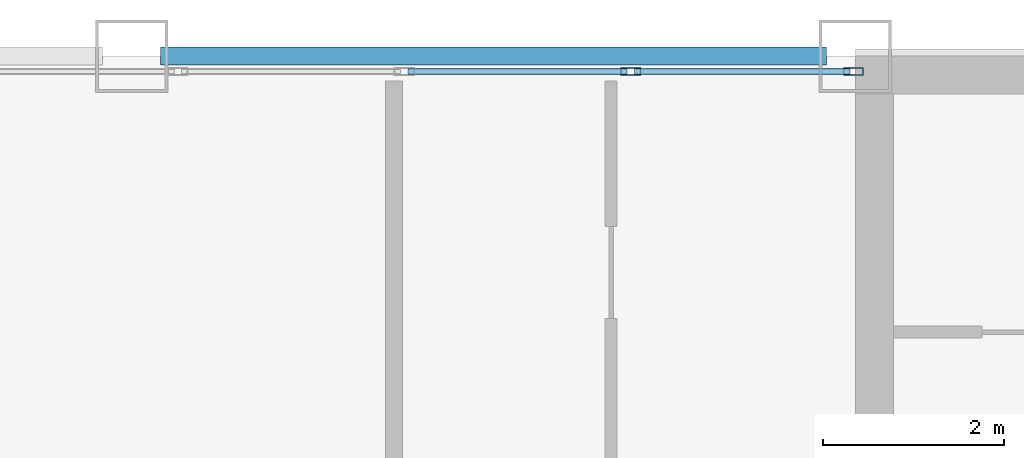
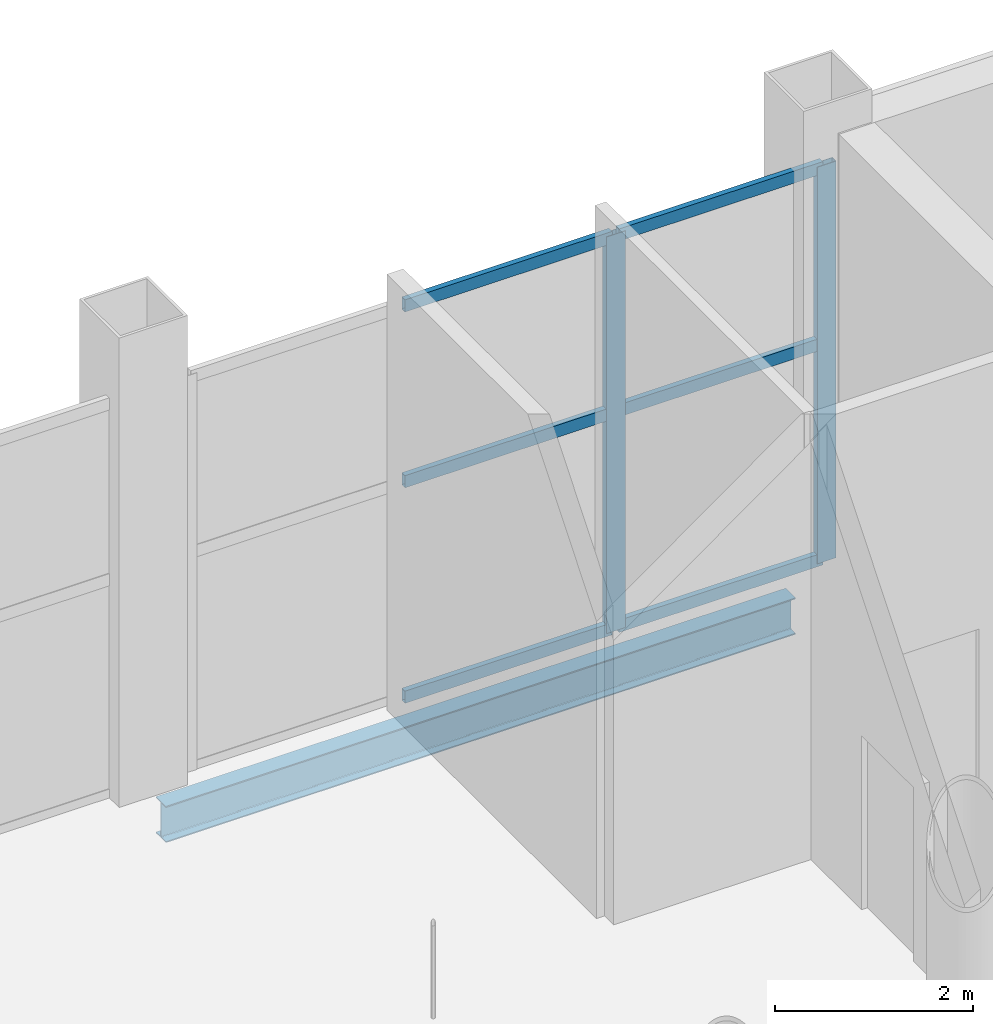
# One storey, part 12 of 18: 8 members, 1 beam, 1 element without a shape of its own.
"""IFC4 building model written with IfcOpenShell, lengths in metres."""

from ifc_helpers import new_model, si_unit, direction, frame, origin, origin_2d, place, context, subcontext, project, spatial, hollow_rectangle, i_section, extrude, material, layer, layer_set, material_profile, profile_set, type_object, element, aggregate, save


model = new_model("IFC4")

# Units and contexts
model_context = context("Model", 3, precision=1e-05, world=origin(), true_north=direction((0.0, 1.0)))
body_context = subcontext(model_context, "Body", "Model", "MODEL_VIEW")
ifc_project = project(units=[si_unit("LENGTHUNIT", "METRE"), si_unit("AREAUNIT", "SQUARE_METRE"), si_unit("VOLUMEUNIT", "CUBIC_METRE"), si_unit("PLANEANGLEUNIT", "RADIAN"), si_unit("MASSUNIT", "GRAM", prefix="KILO")], contexts=[model_context])

# Site, building, storey
site_placement = place(None, origin())
site = spatial("IfcSite", under=ifc_project, at=site_placement, CompositionType="ELEMENT")
building_placement = place(site_placement, origin())
building = spatial("IfcBuilding", under=site, at=building_placement, Name="Qianrong Seaharbour Tower", CompositionType="ELEMENT")
storey_placement = place(building_placement, frame((0.0, 0.0, 367.199951171875)))
storey = spatial("IfcBuildingStorey", under=building, at=storey_placement, Name="L89", CompositionType="ELEMENT", Elevation=367.199951171875)

# Beam
ifc_material_1 = material(Name="Structural steel SN400B", Category="steel")
ifc_material_profile_1 = material_profile(ifc_material_1, i_section(OverallWidth=0.199951171875, OverallDepth=0.449951171875, WebThickness=0.009033203125, FlangeThickness=0.013916015625, FilletRadius=0.01806640625, at=origin_2d()), Name="H450x200x9x14")
ifc_profile_set_1 = profile_set([ifc_material_profile_1], Name="Structural steel SN400B")
beam_type = type_object("IfcBeamType", Name="BM-SP-450", PredefinedType="SPANDREL", material=ifc_profile_set_1)
beam_placement = place(storey_placement, frame((32.820068359375, 52.0, -0.64501953125), z_axis=(1.0, 0.0, 0.0), x_axis=(0.0, 1.0, 0.0)))
element("IfcBeam", 1, at=beam_placement, inside=storey, type_object=beam_type, Name="L89 Spandrel Girder GH G5-G6", PredefinedType="SPANDREL", context=body_context, shape_type="SweptSolid", body=[
    extrude(i_section(OverallWidth=0.199951171875, OverallDepth=0.449951171875, WebThickness=0.009033203125, FlangeThickness=0.013916015625, FilletRadius=0.01806640625, at=origin_2d()), origin(), (0.0, 0.0, 1.0), 7.35986328125),
])

# Curtain wall, members
ifc_material_2 = material(Name="Anodised aluminium 6063-T6 and laminated low-e glass", Category="aluminium")
ifc_layer = layer(ifc_material_2, 0.22998046875)
ifc_layer_set = layer_set([ifc_layer], Name="Anodised aluminium 6063-T6 and laminated low-e glass")
curtain_wall_type = type_object("IfcCurtainWallType", Name="CW-SYS-5", PredefinedType="NOTDEFINED", material=ifc_layer_set)
curtain_wall_placement = place(storey_placement, origin())
curtain_wall = element("IfcCurtainWall", 2, at=curtain_wall_placement, inside=storey, type_object=curtain_wall_type, Name="L89 Venturi Wind-Turbine Shroud Curtain Wall NORTH_WING", PredefinedType="NOTDEFINED")
ifc_material_3 = material(Name="Extruded aluminium 6063-T6", Category="aluminium")
ifc_material_profile_2 = material_profile(ifc_material_3, hollow_rectangle(XDim=0.080078125, YDim=0.219970703125, WallThickness=0.0048828125, at=origin_2d()), Name="ALU-MUL-220x80x5")
ifc_profile_set_2 = profile_set([ifc_material_profile_2], Name="Extruded aluminium 6063-T6")
member_type_1 = type_object("IfcMemberType", Name="CW-MUL-220", PredefinedType="MULLION", material=ifc_profile_set_2)
member_1_placement = place(storey_placement, frame((38.017578125, 51.830078125, 0.0), z_axis=(0.0, 0.0, 1.0), x_axis=(0.0, 1.0, 0.0)))
member_1 = element("IfcMember", 3, at=member_1_placement, type_object=member_type_1, Name="CW-5 mullion 8", PredefinedType="MULLION", context=body_context, shape_type="SweptSolid", body=[
    extrude(hollow_rectangle(XDim=0.080078125, YDim=0.219970703125, WallThickness=0.0048828125, at=origin_2d()), origin(), (0.0, 0.0, 1.0), 4.900146484375),
])
member_2_placement = place(storey_placement, frame((40.47998046875, 51.830078125, 0.0), z_axis=(0.0, 0.0, 1.0), x_axis=(0.0, 1.0, 0.0)))
member_2 = element("IfcMember", 4, at=member_2_placement, type_object=member_type_1, Name="CW-5 mullion 9", PredefinedType="MULLION", context=body_context, shape_type="SweptSolid", body=[
    extrude(hollow_rectangle(XDim=0.080078125, YDim=0.219970703125, WallThickness=0.0048828125, at=origin_2d()), origin(), (0.0, 0.0, 1.0), 4.900146484375),
])
ifc_material_profile_3 = material_profile(ifc_material_3, hollow_rectangle(XDim=0.06494140625, YDim=0.14990234375, WallThickness=0.00390625, at=origin_2d()), Name="ALU-TRN-150x65x4")
ifc_profile_set_3 = profile_set([ifc_material_profile_3], Name="Extruded aluminium 6063-T6")
member_type_2 = type_object("IfcMemberType", Name="CW-TRN-150", PredefinedType="USERDEFINED", material=ifc_profile_set_3)
member_3_placement = place(storey_placement, frame((35.554931640625, 51.830078125, 0.032470703125), z_axis=(1.0, 0.0, 0.0), x_axis=(0.0, 1.0, 0.0)))
member_3 = element("IfcMember", 5, at=member_3_placement, type_object=member_type_2, Name="CW-5 transom 7.1", ObjectType="TRANSOM", PredefinedType="USERDEFINED", context=body_context, shape_type="SweptSolid", body=[
    extrude(hollow_rectangle(XDim=0.06494140625, YDim=0.14990234375, WallThickness=0.00390625, at=origin_2d()), origin(), (0.0, 0.0, 1.0), 2.422607421875),
])
member_4_placement = place(storey_placement, frame((35.554931640625, 51.830078125, 2.695068359375), z_axis=(1.0, 0.0, 0.0), x_axis=(0.0, 1.0, 0.0)))
member_4 = element("IfcMember", 6, at=member_4_placement, type_object=member_type_2, Name="CW-5 transom 7.2", ObjectType="TRANSOM", PredefinedType="USERDEFINED", context=body_context, shape_type="SweptSolid", body=[
    extrude(hollow_rectangle(XDim=0.06494140625, YDim=0.14990234375, WallThickness=0.00390625, at=origin_2d()), origin(), (0.0, 0.0, 1.0), 2.422607421875),
])
member_5_placement = place(storey_placement, frame((35.554931640625, 51.830078125, 4.867431640625), z_axis=(1.0, 0.0, 0.0), x_axis=(0.0, 1.0, 0.0)))
member_5 = element("IfcMember", 7, at=member_5_placement, type_object=member_type_2, Name="CW-5 transom 7.3", ObjectType="TRANSOM", PredefinedType="USERDEFINED", context=body_context, shape_type="SweptSolid", body=[
    extrude(hollow_rectangle(XDim=0.06494140625, YDim=0.14990234375, WallThickness=0.00390625, at=origin_2d()), origin(), (0.0, 0.0, 1.0), 2.422607421875),
])
member_6_placement = place(storey_placement, frame((38.0576171875, 51.830078125, 0.032470703125), z_axis=(1.0, 0.0, 0.0), x_axis=(0.0, 1.0, 0.0)))
member_6 = element("IfcMember", 8, at=member_6_placement, type_object=member_type_2, Name="CW-5 transom 8.1", ObjectType="TRANSOM", PredefinedType="USERDEFINED", context=body_context, shape_type="SweptSolid", body=[
    extrude(hollow_rectangle(XDim=0.06494140625, YDim=0.14990234375, WallThickness=0.00390625, at=origin_2d()), origin(), (0.0, 0.0, 1.0), 2.38232421875),
])
member_7_placement = place(storey_placement, frame((38.0576171875, 51.830078125, 2.695068359375), z_axis=(1.0, 0.0, 0.0), x_axis=(0.0, 1.0, 0.0)))
member_7 = element("IfcMember", 9, at=member_7_placement, type_object=member_type_2, Name="CW-5 transom 8.2", ObjectType="TRANSOM", PredefinedType="USERDEFINED", context=body_context, shape_type="SweptSolid", body=[
    extrude(hollow_rectangle(XDim=0.06494140625, YDim=0.14990234375, WallThickness=0.00390625, at=origin_2d()), origin(), (0.0, 0.0, 1.0), 2.38232421875),
])
member_8_placement = place(storey_placement, frame((38.0576171875, 51.830078125, 4.867431640625), z_axis=(1.0, 0.0, 0.0), x_axis=(0.0, 1.0, 0.0)))
member_8 = element("IfcMember", 10, at=member_8_placement, type_object=member_type_2, Name="CW-5 transom 8.3", ObjectType="TRANSOM", PredefinedType="USERDEFINED", context=body_context, shape_type="SweptSolid", body=[
    extrude(hollow_rectangle(XDim=0.06494140625, YDim=0.14990234375, WallThickness=0.00390625, at=origin_2d()), origin(), (0.0, 0.0, 1.0), 2.38232421875),
])
aggregate(curtain_wall, [member_1, member_2, member_3, member_4, member_5, member_6, member_7, member_8])

save(model, "model.ifc")
